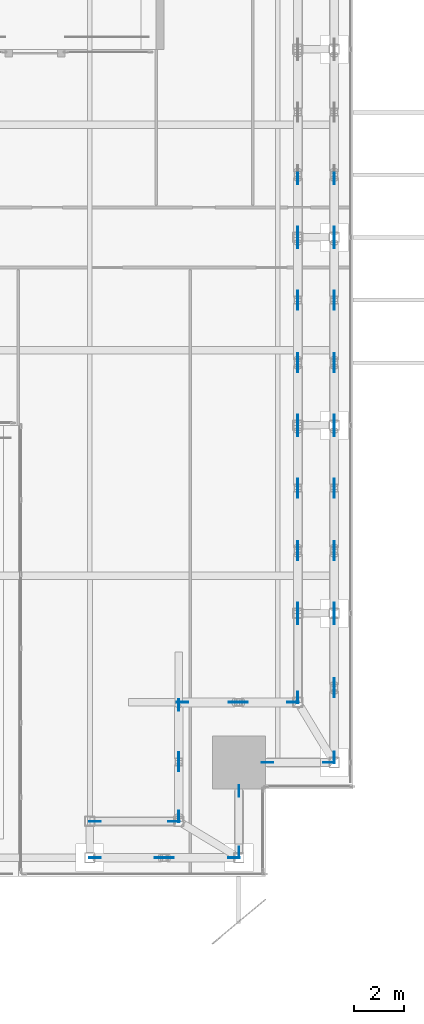
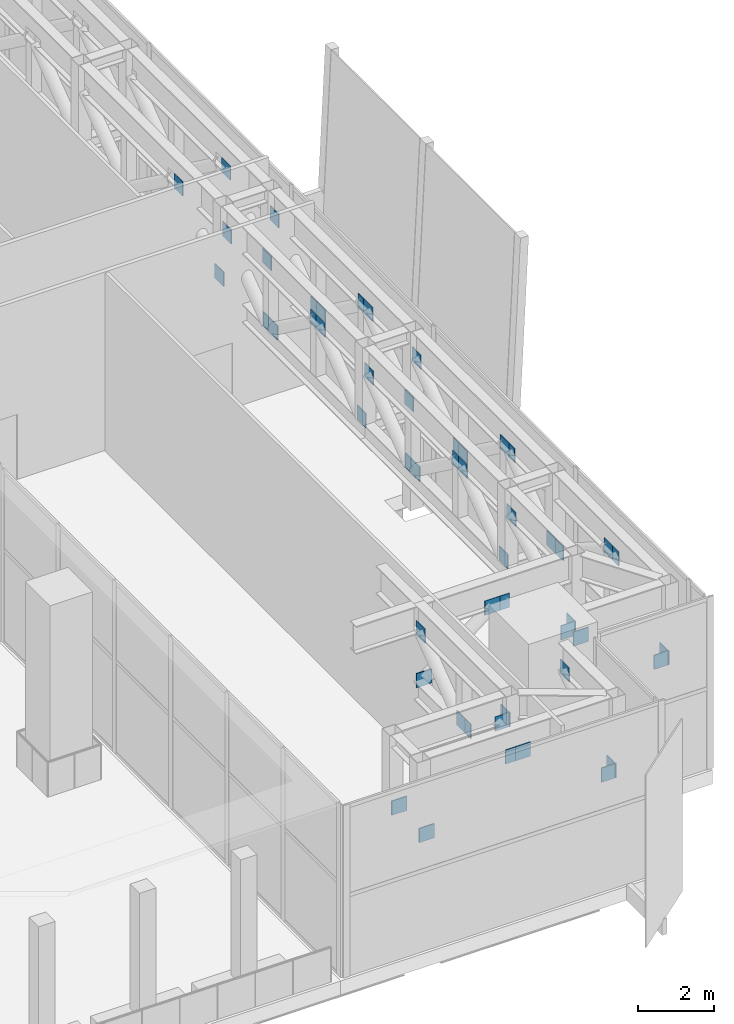
# One storey, part 41 of 47: 52 discrete accessories.
"""IFC4 building model written with IfcOpenShell, lengths in metres."""

from ifc_helpers import new_model, si_unit, direction, frame, origin, origin_2d, place, context, subcontext, project, spatial, rectangle, extrude, source, transform, mapped, material, layer, layer_set, type_object, element, save


model = new_model("IFC4")

# Units and contexts
model_context = context("Model", 3, precision=1e-05, world=origin(), true_north=direction((0.0, 1.0)))
body_context = subcontext(model_context, "Body", "Model", "MODEL_VIEW")
ifc_project = project(units=[si_unit("LENGTHUNIT", "METRE"), si_unit("AREAUNIT", "SQUARE_METRE"), si_unit("VOLUMEUNIT", "CUBIC_METRE"), si_unit("PLANEANGLEUNIT", "RADIAN"), si_unit("MASSUNIT", "GRAM", prefix="KILO")], contexts=[model_context])

# Site, building, storey
site_placement = place(None, origin())
site = spatial("IfcSite", under=ifc_project, at=site_placement, CompositionType="ELEMENT")
building_placement = place(site_placement, origin())
building = spatial("IfcBuilding", under=site, at=building_placement, Name="Khomas Fold Tower", CompositionType="ELEMENT")
storey_placement = place(building_placement, frame((0.0, 0.0, 158.699951171875)))
storey = spatial("IfcBuildingStorey", under=building, at=storey_placement, Name="L34", CompositionType="ELEMENT", Elevation=158.699951171875)

# Discrete accessories
ifc_material = material(Name="Steel S355", Category="steel")
ifc_layer = layer(ifc_material, 0.030029296875)
ifc_layer_set = layer_set([ifc_layer], Name="Steel S355")
discrete_accessory_type = type_object("IfcDiscreteAccessoryType", Name="Gusset plate 30 x 460 GP2", PredefinedType="BRACKET", material=ifc_layer_set)
shared_shape = source(origin(), body_context, "Body", "SweptSolid", [
    extrude(rectangle(XDim=0.4599609375, YDim=0.030029296875, at=origin_2d()), origin(), (0.0, 0.0, 1.0), 0.4599609375),
])
for number, where, z_axis, x_axis, name in (
    (1, (42.199951171875, 2.25, 3.01513671875), (0.0, 0.0, 1.0), (1.0, 0.0, 0.0), "Gusset plate BT2-D"),
    (2, (42.199951171875, 3.699951171875, 3.01513671875), (0.0, 0.0, 1.0), (1.0, 0.0, 0.0), "Gusset plate BT2-D"),
    (3, (44.824951171875, 2.25, 4.625), (0.0, 0.0, 1.0), (1.0, 0.0, 0.0), "Gusset plate BT2-D"),
    (4, (45.125, 2.25, 4.625), (0.0, 0.0, 1.0), (1.0, 0.0, 0.0), "Gusset plate BT2-D"),
    (5, (45.35009765625, 3.699951171875, 4.625), (0.0, 0.0, 1.0), (1.0, 0.0, 0.0), "Gusset plate BT2-D"),
    (6, (45.550048828125, 3.89990234375, 4.625), (0.0, 0.0, 1.0), (0.0, 1.0, 0.0), "Gusset plate BT2-D"),
    (7, (45.550048828125, 5.925048828125, 3.01513671875), (0.0, 0.0, 1.0), (0.0, 1.0, 0.0), "Gusset plate BT2-D"),
    (8, (45.550048828125, 6.22509765625, 3.01513671875), (0.0, 0.0, 1.0), (0.0, 1.0, 0.0), "Gusset plate BT2-D"),
    (9, (45.550048828125, 8.34619140625, 4.625), (0.0, 0.0, 1.0), (0.0, 1.0, 0.0), "Gusset plate BT2-D"),
    (10, (45.699951171875, 8.449951171875, 3.01513671875), (0.0, 0.0, 1.0), (1.0, 0.0, 0.0), "Gusset plate BT2-D"),
    (11, (47.75, 2.25, 3.01513671875), (0.0, 0.0, 1.0), (1.0, 0.0, 0.0), "Gusset plate BT2-D"),
    (12, (47.77490234375, 8.449951171875, 4.625), (0.0, 0.0, 1.0), (1.0, 0.0, 0.0), "Gusset plate BT2-D"),
    (13, (47.949951171875, 2.449951171875, 3.01513671875), (0.0, 0.0, 1.0), (0.0, 1.0, 0.0), "Gusset plate BT2-D"),
    (14, (47.949951171875, 4.905517578125, 4.625), (0.0, 0.0, 1.0), (0.0, 1.0, 0.0), "Gusset plate BT2-D"),
    (15, (48.074951171875, 8.449951171875, 4.625), (0.0, 0.0, 1.0), (1.0, 0.0, 0.0), "Gusset plate BT2-D"),
    (16, (49.094482421875, 6.050048828125, 4.625), (0.0, 0.0, 1.0), (1.0, 0.0, 0.0), "Gusset plate BT2-D"),
    (17, (50.10009765625, 8.449951171875, 3.01513671875), (0.0, 0.0, 1.0), (1.0, 0.0, 0.0), "Gusset plate BT2-D"),
    (18, (50.300048828125, 8.64990234375, 3.01513671875), (0.0, 0.0, 1.0), (0.0, 1.0, 0.0), "Gusset plate BT2-D"),
    (19, (50.300048828125, 11.800048828125, 4.625), (0.0, 0.0, 1.0), (0.0, 1.0, 0.0), "Gusset plate BT2-D"),
    (20, (50.300048828125, 12.199951171875, 3.01513671875), (0.0, 0.0, 1.0), (0.0, 1.0, 0.0), "Gusset plate BT2-D"),
    (21, (50.300048828125, 14.35009765625, 4.625), (0.0, 0.0, 1.0), (0.0, 1.0, 0.0), "Gusset plate BT2-D"),
    (22, (50.300048828125, 14.64990234375, 4.625), (0.0, 0.0, 1.0), (0.0, 1.0, 0.0), "Gusset plate BT2-D"),
    (23, (50.300048828125, 16.85009765625, 3.01513671875), (0.0, 0.0, 1.0), (0.0, 1.0, 0.0), "Gusset plate BT2-D"),
    (24, (50.300048828125, 17.14990234375, 3.01513671875), (0.0, 0.0, 1.0), (0.0, 1.0, 0.0), "Gusset plate BT2-D"),
    (25, (50.300048828125, 19.300048828125, 4.625), (0.0, 0.0, 1.0), (0.0, 1.0, 0.0), "Gusset plate BT2-D"),
    (26, (50.300048828125, 19.699951171875, 3.01513671875), (0.0, 0.0, 1.0), (0.0, 1.0, 0.0), "Gusset plate BT2-D"),
    (27, (50.300048828125, 21.85009765625, 4.625), (0.0, 0.0, 1.0), (0.0, 1.0, 0.0), "Gusset plate BT2-D"),
    (28, (50.300048828125, 22.14990234375, 4.625), (0.0, 0.0, 1.0), (0.0, 1.0, 0.0), "Gusset plate BT2-D"),
    (29, (50.300048828125, 24.35009765625, 3.01513671875), (0.0, 0.0, 1.0), (0.0, 1.0, 0.0), "Gusset plate BT2-D"),
    (30, (50.300048828125, 24.64990234375, 3.01513671875), (0.0, 0.0, 1.0), (0.0, 1.0, 0.0), "Gusset plate BT2-D"),
    (31, (50.300048828125, 26.800048828125, 4.625), (0.0, 0.0, 1.0), (0.0, 1.0, 0.0), "Gusset plate BT2-D"),
    (32, (50.300048828125, 27.199951171875, 3.01513671875), (0.0, 0.0, 1.0), (0.0, 1.0, 0.0), "Gusset plate BT2-D"),
    (33, (50.300048828125, 29.35009765625, 4.625), (0.0, 0.0, 1.0), (0.0, 1.0, 0.0), "Gusset plate BT2-D"),
    (34, (51.550048828125, 6.050048828125, 3.01513671875), (0.0, 0.0, 1.0), (1.0, 0.0, 0.0), "Gusset plate BT2-D"),
    (35, (51.75, 6.25, 3.01513671875), (0.0, 0.0, 1.0), (0.0, 1.0, 0.0), "Gusset plate BT2-D"),
    (36, (51.75, 8.875, 4.625), (0.0, 0.0, 1.0), (0.0, 1.0, 0.0), "Gusset plate BT2-D"),
    (37, (51.75, 9.175048828125, 4.625), (0.0, 0.0, 1.0), (0.0, 1.0, 0.0), "Gusset plate BT2-D"),
    (38, (51.75, 11.800048828125, 3.01513671875), (0.0, 0.0, 1.0), (0.0, 1.0, 0.0), "Gusset plate BT2-D"),
    (39, (51.75, 12.199951171875, 3.01513671875), (0.0, 0.0, 1.0), (0.0, 1.0, 0.0), "Gusset plate BT2-D"),
    (40, (51.75, 14.35009765625, 4.625), (0.0, 0.0, 1.0), (0.0, 1.0, 0.0), "Gusset plate BT2-D"),
    (41, (51.75, 14.64990234375, 4.625), (0.0, 0.0, 1.0), (0.0, 1.0, 0.0), "Gusset plate BT2-D"),
    (42, (51.75, 16.85009765625, 3.01513671875), (0.0, 0.0, 1.0), (0.0, 1.0, 0.0), "Gusset plate BT2-D"),
    (43, (51.75, 17.14990234375, 3.01513671875), (0.0, 0.0, 1.0), (0.0, 1.0, 0.0), "Gusset plate BT2-D"),
    (44, (51.75, 19.300048828125, 4.625), (0.0, 0.0, 1.0), (0.0, 1.0, 0.0), "Gusset plate BT2-D"),
    (45, (51.75, 19.699951171875, 3.01513671875), (0.0, 0.0, 1.0), (0.0, 1.0, 0.0), "Gusset plate BT2-D"),
    (46, (51.75, 21.85009765625, 4.625), (0.0, 0.0, 1.0), (0.0, 1.0, 0.0), "Gusset plate BT2-D"),
    (47, (51.75, 22.14990234375, 4.625), (0.0, 0.0, 1.0), (0.0, 1.0, 0.0), "Gusset plate BT2-D"),
    (48, (51.75, 24.35009765625, 3.01513671875), (0.0, 0.0, 1.0), (0.0, 1.0, 0.0), "Gusset plate BT2-D"),
    (49, (51.75, 24.64990234375, 3.01513671875), (0.0, 0.0, 1.0), (0.0, 1.0, 0.0), "Gusset plate BT2-D"),
    (50, (51.75, 26.800048828125, 4.625), (0.0, 0.0, 1.0), (0.0, 1.0, 0.0), "Gusset plate BT2-D"),
    (51, (51.75, 27.199951171875, 3.01513671875), (0.0, 0.0, 1.0), (0.0, 1.0, 0.0), "Gusset plate BT2-D"),
    (52, (51.75, 29.35009765625, 4.625), (0.0, 0.0, 1.0), (0.0, 1.0, 0.0), "Gusset plate BT2-D"),
):
    element("IfcDiscreteAccessory", number, at=place(storey_placement, frame(where, z_axis=z_axis, x_axis=x_axis)), inside=storey, type_object=discrete_accessory_type, Name=name, PredefinedType="BRACKET", context=body_context, shape_type="MappedRepresentation", body=[
        mapped(shared_shape, transform((0.0, 0.0, 0.0))),
    ])

save(model, "model.ifc")
